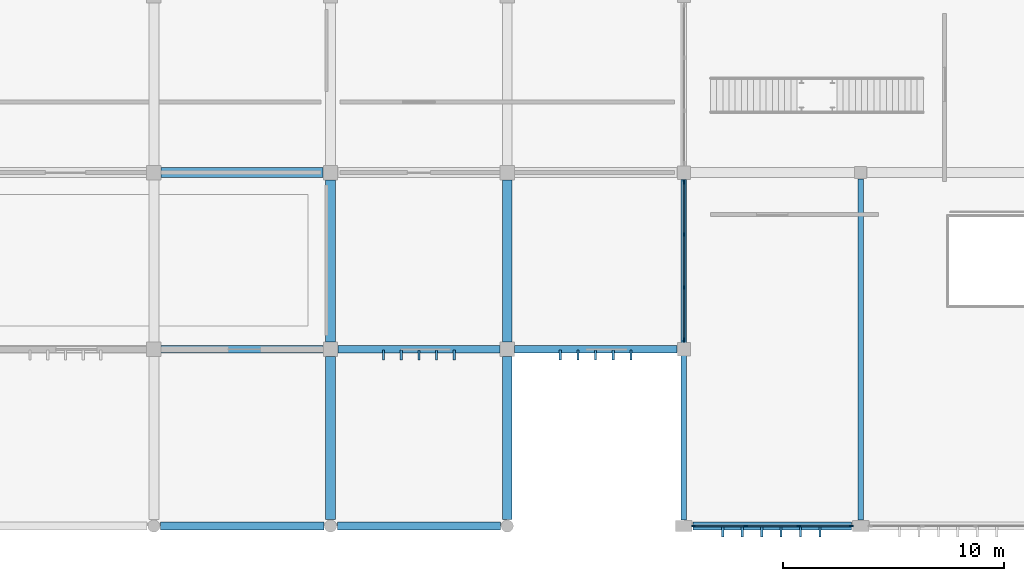
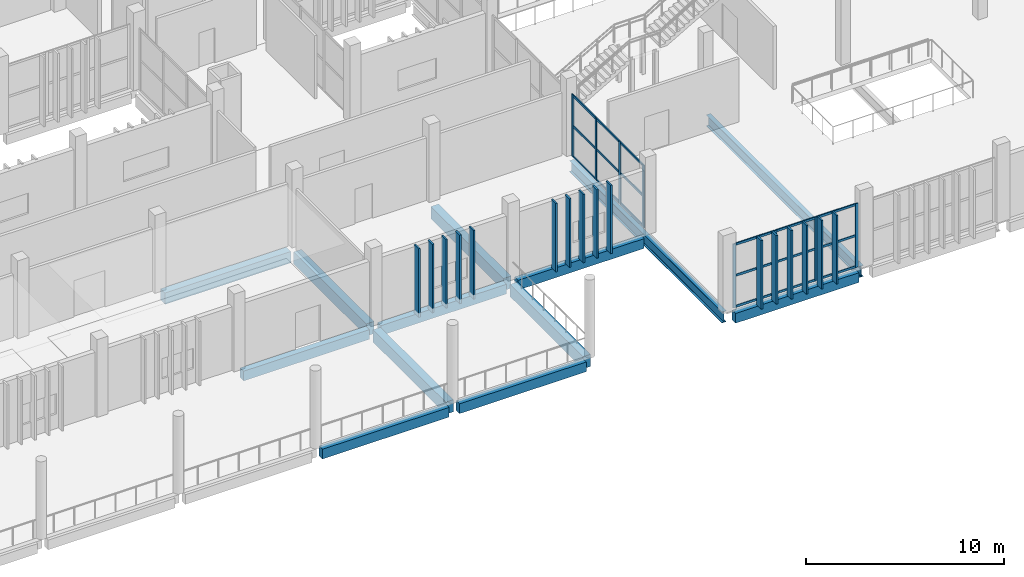
# One storey, part 48 of 106: 42 members, 13 beams, 2 elements without a shape of their own.
"""IFC4 building model written with IfcOpenShell, lengths in metres."""

from ifc_helpers import new_model, si_unit, direction, frame, origin, origin_2d, place, context, subcontext, project, spatial, rectangle, i_section, extrude, material, layer, layer_set, material_profile, profile_set, type_object, element, aggregate, save


model = new_model("IFC4")

# Units and contexts
model_context = context("Model", 3, precision=1e-05, world=origin(), true_north=direction((0.0, 1.0)))
body_context = subcontext(model_context, "Body", "Model", "MODEL_VIEW")
ifc_project = project(units=[si_unit("LENGTHUNIT", "METRE"), si_unit("AREAUNIT", "SQUARE_METRE"), si_unit("VOLUMEUNIT", "CUBIC_METRE"), si_unit("PLANEANGLEUNIT", "RADIAN"), si_unit("MASSUNIT", "GRAM", prefix="KILO")], contexts=[model_context])

# Site, building, storey
site_placement = place(None, origin())
site = spatial("IfcSite", under=ifc_project, at=site_placement, CompositionType="ELEMENT")
building_placement = place(site_placement, origin())
building = spatial("IfcBuilding", under=site, at=building_placement, Name="Jelvoka-Kovrelna Polytechnic", CompositionType="ELEMENT")
storey_placement = place(building_placement, frame((0.0, 0.0, 4.800048828125)))
storey = spatial("IfcBuildingStorey", under=building, at=storey_placement, Name="L02", CompositionType="ELEMENT", Elevation=4.800048828125)

# Beams
ifc_material_1 = material(Name="Concrete C40/50", Category="concrete")
ifc_material_profile_1 = material_profile(ifc_material_1, rectangle(XDim=0.449951171875, YDim=0.699951171875, at=origin_2d()), Name="RC 450x700")
ifc_profile_set_1 = profile_set([ifc_material_profile_1], Name="Concrete C40/50")
beam_type_1 = type_object("IfcBeamType", Name="Beam_RC_450x700", PredefinedType="BEAM", material=ifc_profile_set_1)
beam_1_placement = place(storey_placement, frame((136.330078125, 16.0, -0.614990234375), z_axis=(1.0, 0.0, 0.0), x_axis=(0.0, 1.0, 0.0)))
element("IfcBeam", 1, at=beam_1_placement, inside=storey, type_object=beam_type_1, Name="L02 beam 0659", PredefinedType="BEAM", context=body_context, shape_type="SweptSolid", body=[
    extrude(rectangle(XDim=0.449951171875, YDim=0.699951171875, at=origin_2d()), origin(), (0.0, 0.0, 1.0), 7.33984375),
])
ifc_material_2 = material(Name="Concrete C40/50", Category="concrete")
ifc_material_profile_2 = material_profile(ifc_material_2, rectangle(XDim=0.449951171875, YDim=0.75, at=origin_2d()), Name="RC 450x750")
ifc_profile_set_2 = profile_set([ifc_material_profile_2], Name="Concrete C40/50")
beam_type_2 = type_object("IfcBeamType", Name="Beam_RC_450x750", PredefinedType="BEAM", material=ifc_profile_set_2)
for number, where, z_axis, x_axis, name in (
    (2, (144.0, 8.330078125, -0.64013671875), (0.0, 1.0, 0.0), (-1.0, 0.0, 0.0), "L02 beam 0674"),
    (3, (152.0, 8.330078125, -0.64013671875), (0.0, 1.0, 0.0), (-1.0, 0.0, 0.0), "L02 beam 0676"),
):
    element("IfcBeam", number, at=place(storey_placement, frame(where, z_axis=z_axis, x_axis=x_axis)), inside=storey, type_object=beam_type_2, Name=name, PredefinedType="BEAM", context=body_context, shape_type="SweptSolid", body=[
        extrude(rectangle(XDim=0.449951171875, YDim=0.75, at=origin_2d()), origin(), (0.0, 0.0, 1.0), 7.33984375),
    ])
for number, where, z_axis, x_axis, name in (
    (4, (144.0, 0.304931640625, -0.594970703125), (0.0, 1.0, 0.0), (-1.0, 0.0, 0.0), "L02 beam 2010"),
    (5, (152.0, 0.304931640625, -0.594970703125), (0.0, 1.0, 0.0), (-1.0, 0.0, 0.0), "L02 beam 2011"),
):
    element("IfcBeam", number, at=place(storey_placement, frame(where, z_axis=z_axis, x_axis=x_axis)), inside=storey, type_object=beam_type_2, Name=name, PredefinedType="BEAM", context=body_context, shape_type="SweptSolid", body=[
        extrude(rectangle(XDim=0.449951171875, YDim=0.75, at=origin_2d()), origin(), (0.0, 0.0, 1.0), 7.364990234375),
    ])
ifc_material_3 = material(Name="Structural steel S355JR", Category="steel")
ifc_material_profile_3 = material_profile(ifc_material_3, i_section(OverallWidth=0.2529296875, OverallDepth=0.677978515625, WebThickness=0.01171875, FlangeThickness=0.01611328125, FilletRadius=0.01513671875, at=origin_2d()), Name="686x254x125 UB")
ifc_profile_set_3 = profile_set([ifc_material_profile_3], Name="Structural steel S355JR")
beam_type_3 = type_object("IfcBeamType", Name="Girder_Steel_UB686", PredefinedType="BEAM", material=ifc_profile_set_3)
beam_2_placement = place(storey_placement, frame((160.0, 0.280029296875, -0.6240234375), z_axis=(0.0, 1.0, 0.0), x_axis=(-1.0, 0.0, 0.0)))
element("IfcBeam", 6, at=beam_2_placement, inside=storey, type_object=beam_type_3, Name="L02 beam 0169", PredefinedType="BEAM", context=body_context, shape_type="SweptSolid", body=[
    extrude(i_section(OverallWidth=0.2529296875, OverallDepth=0.677978515625, WebThickness=0.01171875, FlangeThickness=0.01611328125, FilletRadius=0.01513671875, at=origin_2d()), origin(), (0.0, 0.0, 1.0), 15.4150390625),
])
beam_3_placement = place(storey_placement, frame((168.0, 0.280029296875, -0.6240234375), z_axis=(0.0, 1.0, 0.0), x_axis=(-1.0, 0.0, 0.0)))
element("IfcBeam", 7, at=beam_3_placement, inside=storey, type_object=beam_type_3, Name="L02 beam 0171", PredefinedType="BEAM", context=body_context, shape_type="SweptSolid", body=[
    extrude(i_section(OverallWidth=0.2529296875, OverallDepth=0.677978515625, WebThickness=0.01171875, FlangeThickness=0.01611328125, FilletRadius=0.01513671875, at=origin_2d()), origin(), (0.0, 0.0, 1.0), 15.43994140625),
])

# Members
ifc_material_4 = material(Name="Precast concrete C40/50", Category="concrete")
ifc_material_profile_4 = material_profile(ifc_material_4, rectangle(XDim=0.10009765625, YDim=0.449951171875, at=origin_2d()), Name="PC 100x450")
ifc_profile_set_4 = profile_set([ifc_material_profile_4], Name="Precast concrete C40/50")
member_type_1 = type_object("IfcMemberType", Name="Louvre_Fin_100x450", PredefinedType="USERDEFINED", material=ifc_profile_set_4)
for number, where, z_axis, x_axis, name in (
    (8, (146.39990234375, 7.735107421875, -0.27001953125), (0.0, 0.0, 1.0), (1.0, 0.0, 0.0), "L02 B1 south vertical solar louvre fin 0201"),
    (9, (147.199951171875, 7.735107421875, -0.27001953125), (0.0, 0.0, 1.0), (1.0, 0.0, 0.0), "L02 B1 south vertical solar louvre fin 0202"),
    (10, (148.0, 7.735107421875, -0.27001953125), (0.0, 0.0, 1.0), (1.0, 0.0, 0.0), "L02 B1 south vertical solar louvre fin 0203"),
    (11, (148.800048828125, 7.735107421875, -0.27001953125), (0.0, 0.0, 1.0), (1.0, 0.0, 0.0), "L02 B1 south vertical solar louvre fin 0204"),
    (12, (149.60009765625, 7.735107421875, -0.27001953125), (0.0, 0.0, 1.0), (1.0, 0.0, 0.0), "L02 B1 south vertical solar louvre fin 0205"),
    (13, (154.39990234375, 7.735107421875, -0.27001953125), (0.0, 0.0, 1.0), (1.0, 0.0, 0.0), "L02 B1 south vertical solar louvre fin 0206"),
    (14, (155.199951171875, 7.735107421875, -0.27001953125), (0.0, 0.0, 1.0), (1.0, 0.0, 0.0), "L02 B1 south vertical solar louvre fin 0207"),
    (15, (156.0, 7.735107421875, -0.27001953125), (0.0, 0.0, 1.0), (1.0, 0.0, 0.0), "L02 B1 south vertical solar louvre fin 0208"),
    (16, (156.800048828125, 7.735107421875, -0.27001953125), (0.0, 0.0, 1.0), (1.0, 0.0, 0.0), "L02 B1 south vertical solar louvre fin 0209"),
    (17, (157.60009765625, 7.735107421875, -0.27001953125), (0.0, 0.0, 1.0), (1.0, 0.0, 0.0), "L02 B1 south vertical solar louvre fin 0210"),
    (18, (161.760009765625, -0.264892578125, -0.2900390625), (0.0, 0.0, 1.0), (1.0, 0.0, 0.0), "L02 V5 south solar louvre fin 2470"),
    (19, (162.639892578125, -0.264892578125, -0.2900390625), (0.0, 0.0, 1.0), (1.0, 0.0, 0.0), "L02 V5 south solar louvre fin 2471"),
    (20, (163.52001953125, -0.264892578125, -0.2900390625), (0.0, 0.0, 1.0), (1.0, 0.0, 0.0), "L02 V5 south solar louvre fin 2472"),
    (21, (164.39990234375, -0.264892578125, -0.2900390625), (0.0, 0.0, 1.0), (1.0, 0.0, 0.0), "L02 V5 south solar louvre fin 2473"),
    (22, (165.280029296875, -0.264892578125, -0.2900390625), (0.0, 0.0, 1.0), (1.0, 0.0, 0.0), "L02 V5 south solar louvre fin 2474"),
    (23, (166.159912109375, -0.264892578125, -0.2900390625), (0.0, 0.0, 1.0), (1.0, 0.0, 0.0), "L02 V5 south solar louvre fin 2475"),
):
    element("IfcMember", number, at=place(storey_placement, frame(where, z_axis=z_axis, x_axis=x_axis)), inside=storey, type_object=member_type_1, Name=name, ObjectType="SUNSHADE", PredefinedType="USERDEFINED", context=body_context, shape_type="SweptSolid", body=[
        extrude(rectangle(XDim=0.10009765625, YDim=0.449951171875, at=origin_2d()), origin(), (0.0, 0.0, 1.0), 4.22998046875),
    ])

# Curtain wall, members
ifc_material_5 = material(Name="Anodised aluminium 6063-T6", Category="aluminium")
ifc_layer = layer(ifc_material_5, 0.179931640625)
ifc_layer_set = layer_set([ifc_layer], Name="Anodised aluminium 6063-T6")
curtain_wall_type = type_object("IfcCurtainWallType", Name="CW_Pavilion", PredefinedType="NOTDEFINED", material=ifc_layer_set)
curtain_wall_1_placement = place(storey_placement, origin())
curtain_wall_1 = element("IfcCurtainWall", 24, at=curtain_wall_1_placement, inside=storey, type_object=curtain_wall_type, Name="L02 glazed curtain wall 279", PredefinedType="NOTDEFINED")
ifc_material_6 = material(Name="Anodised aluminium 6063-T6", Category="aluminium")
ifc_material_profile_5 = material_profile(ifc_material_6, rectangle(XDim=0.06494140625, YDim=0.179931640625, at=origin_2d()), Name="ALU 65x180")
ifc_profile_set_5 = profile_set([ifc_material_profile_5], Name="Anodised aluminium 6063-T6")
member_type_2 = type_object("IfcMemberType", Name="Mullion_M-05", PredefinedType="MULLION", material=ifc_profile_set_5)
member_1_placement = place(storey_placement, frame((167.5673828125, 0.0, -0.02490234375), z_axis=(0.0, 0.0, 1.0), x_axis=(0.0, -1.0, 0.0)))
member_1 = element("IfcMember", 25, at=member_1_placement, type_object=member_type_2, Name="CW-05 mullion 1", PredefinedType="MULLION", context=body_context, shape_type="SweptSolid", body=[
    extrude(rectangle(XDim=0.06494140625, YDim=0.179931640625, at=origin_2d()), origin(), (0.0, 0.0, 1.0), 3.93994140625),
])
member_2_placement = place(storey_placement, frame((165.199951171875, 0.0, -0.02490234375), z_axis=(0.0, 0.0, 1.0), x_axis=(0.0, -1.0, 0.0)))
member_2 = element("IfcMember", 26, at=member_2_placement, type_object=member_type_2, Name="CW-05 mullion 2", PredefinedType="MULLION", context=body_context, shape_type="SweptSolid", body=[
    extrude(rectangle(XDim=0.06494140625, YDim=0.179931640625, at=origin_2d()), origin(), (0.0, 0.0, 1.0), 3.93994140625),
])
member_3_placement = place(storey_placement, frame((162.800048828125, 0.0, -0.02490234375), z_axis=(0.0, 0.0, 1.0), x_axis=(0.0, -1.0, 0.0)))
member_3 = element("IfcMember", 27, at=member_3_placement, type_object=member_type_2, Name="CW-05 mullion 3", PredefinedType="MULLION", context=body_context, shape_type="SweptSolid", body=[
    extrude(rectangle(XDim=0.06494140625, YDim=0.179931640625, at=origin_2d()), origin(), (0.0, 0.0, 1.0), 3.93994140625),
])
member_4_placement = place(storey_placement, frame((160.4326171875, 0.0, -0.02490234375), z_axis=(0.0, 0.0, 1.0), x_axis=(0.0, -1.0, 0.0)))
member_4 = element("IfcMember", 28, at=member_4_placement, type_object=member_type_2, Name="CW-05 mullion 4", PredefinedType="MULLION", context=body_context, shape_type="SweptSolid", body=[
    extrude(rectangle(XDim=0.06494140625, YDim=0.179931640625, at=origin_2d()), origin(), (0.0, 0.0, 1.0), 3.93994140625),
])

curtain_wall_2_placement = place(storey_placement, origin())
curtain_wall_2 = element("IfcCurtainWall", 29, at=curtain_wall_2_placement, inside=storey, type_object=curtain_wall_type, Name="L02 glazed curtain wall 283", PredefinedType="NOTDEFINED")
member_5_placement = place(storey_placement, frame((160.0, 8.4326171875, -0.02490234375), z_axis=(0.0, 0.0, 1.0), x_axis=(-1.0, 0.0, 0.0)))
member_5 = element("IfcMember", 30, at=member_5_placement, type_object=member_type_2, Name="CW-05 mullion 1", PredefinedType="MULLION", context=body_context, shape_type="SweptSolid", body=[
    extrude(rectangle(XDim=0.06494140625, YDim=0.179931640625, at=origin_2d()), origin(), (0.0, 0.0, 1.0), 3.862060546875),
])
member_6_placement = place(storey_placement, frame((160.0, 10.800048828125, -0.02490234375), z_axis=(0.0, 0.0, 1.0), x_axis=(-1.0, 0.0, 0.0)))
member_6 = element("IfcMember", 31, at=member_6_placement, type_object=member_type_2, Name="CW-05 mullion 2", PredefinedType="MULLION", context=body_context, shape_type="SweptSolid", body=[
    extrude(rectangle(XDim=0.06494140625, YDim=0.179931640625, at=origin_2d()), origin(), (0.0, 0.0, 1.0), 3.862060546875),
])
member_7_placement = place(storey_placement, frame((160.0, 13.199951171875, -0.02490234375), z_axis=(0.0, 0.0, 1.0), x_axis=(-1.0, 0.0, 0.0)))
member_7 = element("IfcMember", 32, at=member_7_placement, type_object=member_type_2, Name="CW-05 mullion 3", PredefinedType="MULLION", context=body_context, shape_type="SweptSolid", body=[
    extrude(rectangle(XDim=0.06494140625, YDim=0.179931640625, at=origin_2d()), origin(), (0.0, 0.0, 1.0), 3.862060546875),
])
member_8_placement = place(storey_placement, frame((160.0, 15.5673828125, -0.02490234375), z_axis=(0.0, 0.0, 1.0), x_axis=(-1.0, 0.0, 0.0)))
member_8 = element("IfcMember", 33, at=member_8_placement, type_object=member_type_2, Name="CW-05 mullion 4", PredefinedType="MULLION", context=body_context, shape_type="SweptSolid", body=[
    extrude(rectangle(XDim=0.06494140625, YDim=0.179931640625, at=origin_2d()), origin(), (0.0, 0.0, 1.0), 3.862060546875),
])

# Beams
ifc_material_7 = material(Name="Concrete C40/50", Category="concrete")
ifc_material_profile_6 = material_profile(ifc_material_7, rectangle(XDim=0.35009765625, YDim=0.60009765625, at=origin_2d()), Name="RC 350x600")
ifc_profile_set_6 = profile_set([ifc_material_profile_6], Name="Concrete C40/50")
beam_type_4 = type_object("IfcBeamType", Name="Spandrel_RC_350x600", PredefinedType="SPANDREL", material=ifc_profile_set_6)
beam_4_placement = place(storey_placement, frame((160.405029296875, 0.0, -0.5849609375), z_axis=(1.0, 0.0, 0.0), x_axis=(0.0, 1.0, 0.0)))
element("IfcBeam", 34, at=beam_4_placement, inside=storey, type_object=beam_type_4, Name="L02 beam 0180", PredefinedType="SPANDREL", context=body_context, shape_type="SweptSolid", body=[
    extrude(rectangle(XDim=0.35009765625, YDim=0.60009765625, at=origin_2d()), origin(), (0.0, 0.0, 1.0), 7.18994140625),
])
for number, where, z_axis, x_axis, name in (
    (35, (136.330078125, 8.0, -0.56494140625), (1.0, 0.0, 0.0), (0.0, 1.0, 0.0), "L02 beam 0653"),
    (36, (144.330078125, 8.0, -0.56494140625), (1.0, 0.0, 0.0), (0.0, 1.0, 0.0), "L02 beam 0654"),
):
    element("IfcBeam", number, at=place(storey_placement, frame(where, z_axis=z_axis, x_axis=x_axis)), inside=storey, type_object=beam_type_4, Name=name, PredefinedType="SPANDREL", context=body_context, shape_type="SweptSolid", body=[
        extrude(rectangle(XDim=0.35009765625, YDim=0.60009765625, at=origin_2d()), origin(), (0.0, 0.0, 1.0), 7.33984375),
    ])
beam_5_placement = place(storey_placement, frame((152.330078125, 8.0, -0.56494140625), z_axis=(1.0, 0.0, 0.0), x_axis=(0.0, 1.0, 0.0)))
element("IfcBeam", 37, at=beam_5_placement, inside=storey, type_object=beam_type_4, Name="L02 beam 0655", PredefinedType="SPANDREL", context=body_context, shape_type="SweptSolid", body=[
    extrude(rectangle(XDim=0.35009765625, YDim=0.60009765625, at=origin_2d()), origin(), (0.0, 0.0, 1.0), 7.364990234375),
])
for number, where, z_axis, x_axis, name in (
    (38, (136.304931640625, 0.0, -0.52001953125), (1.0, 0.0, 0.0), (0.0, 1.0, 0.0), "L02 beam 1997"),
    (39, (144.304931640625, 0.0, -0.52001953125), (1.0, 0.0, 0.0), (0.0, 1.0, 0.0), "L02 beam 1998"),
):
    element("IfcBeam", number, at=place(storey_placement, frame(where, z_axis=z_axis, x_axis=x_axis)), inside=storey, type_object=beam_type_4, Name=name, PredefinedType="SPANDREL", context=body_context, shape_type="SweptSolid", body=[
        extrude(rectangle(XDim=0.35009765625, YDim=0.60009765625, at=origin_2d()), origin(), (0.0, 0.0, 1.0), 7.39013671875),
    ])

# Member
ifc_material_8 = material(Name="Anodised aluminium 6063-T6", Category="aluminium")
ifc_material_profile_7 = material_profile(ifc_material_8, rectangle(XDim=0.06494140625, YDim=0.135009765625, at=origin_2d()), Name="ALU 65x135")
ifc_profile_set_7 = profile_set([ifc_material_profile_7], Name="Anodised aluminium 6063-T6")
member_type_3 = type_object("IfcMemberType", Name="Transom_T-05", PredefinedType="USERDEFINED", material=ifc_profile_set_7)
member_9_placement = place(storey_placement, frame((167.534912109375, 0.0, 0.032470703125), z_axis=(-1.0, 0.0, 0.0), x_axis=(0.0, -1.0, 0.0)))
member_9 = element("IfcMember", 40, at=member_9_placement, type_object=member_type_3, Name="CW-05 transom 1.1", ObjectType="TRANSOM", PredefinedType="USERDEFINED", context=body_context, shape_type="SweptSolid", body=[
    extrude(rectangle(XDim=0.06494140625, YDim=0.135009765625, at=origin_2d()), origin(), (0.0, 0.0, 1.0), 2.302490234375),
])

member_10_placement = place(storey_placement, frame((167.534912109375, 0.0, 1.945068359375), z_axis=(-1.0, 0.0, 0.0), x_axis=(0.0, -1.0, 0.0)))
member_10 = element("IfcMember", 41, at=member_10_placement, type_object=member_type_3, Name="CW-05 transom 1.2", ObjectType="TRANSOM", PredefinedType="USERDEFINED", context=body_context, shape_type="SweptSolid", body=[
    extrude(rectangle(XDim=0.06494140625, YDim=0.135009765625, at=origin_2d()), origin(), (0.0, 0.0, 1.0), 2.302490234375),
])

member_11_placement = place(storey_placement, frame((167.534912109375, 0.0, 3.857421875), z_axis=(-1.0, 0.0, 0.0), x_axis=(0.0, -1.0, 0.0)))
member_11 = element("IfcMember", 42, at=member_11_placement, type_object=member_type_3, Name="CW-05 transom 1.3", ObjectType="TRANSOM", PredefinedType="USERDEFINED", context=body_context, shape_type="SweptSolid", body=[
    extrude(rectangle(XDim=0.06494140625, YDim=0.135009765625, at=origin_2d()), origin(), (0.0, 0.0, 1.0), 2.302490234375),
])

member_12_placement = place(storey_placement, frame((165.16748046875, 0.0, 0.032470703125), z_axis=(-1.0, 0.0, 0.0), x_axis=(0.0, -1.0, 0.0)))
member_12 = element("IfcMember", 43, at=member_12_placement, type_object=member_type_3, Name="CW-05 transom 2.1", ObjectType="TRANSOM", PredefinedType="USERDEFINED", context=body_context, shape_type="SweptSolid", body=[
    extrude(rectangle(XDim=0.06494140625, YDim=0.135009765625, at=origin_2d()), origin(), (0.0, 0.0, 1.0), 2.3349609375),
])

member_13_placement = place(storey_placement, frame((165.16748046875, 0.0, 1.945068359375), z_axis=(-1.0, 0.0, 0.0), x_axis=(0.0, -1.0, 0.0)))
member_13 = element("IfcMember", 44, at=member_13_placement, type_object=member_type_3, Name="CW-05 transom 2.2", ObjectType="TRANSOM", PredefinedType="USERDEFINED", context=body_context, shape_type="SweptSolid", body=[
    extrude(rectangle(XDim=0.06494140625, YDim=0.135009765625, at=origin_2d()), origin(), (0.0, 0.0, 1.0), 2.3349609375),
])

member_14_placement = place(storey_placement, frame((165.16748046875, 0.0, 3.857421875), z_axis=(-1.0, 0.0, 0.0), x_axis=(0.0, -1.0, 0.0)))
member_14 = element("IfcMember", 45, at=member_14_placement, type_object=member_type_3, Name="CW-05 transom 2.3", ObjectType="TRANSOM", PredefinedType="USERDEFINED", context=body_context, shape_type="SweptSolid", body=[
    extrude(rectangle(XDim=0.06494140625, YDim=0.135009765625, at=origin_2d()), origin(), (0.0, 0.0, 1.0), 2.3349609375),
])

member_15_placement = place(storey_placement, frame((162.767578125, 0.0, 0.032470703125), z_axis=(-1.0, 0.0, 0.0), x_axis=(0.0, -1.0, 0.0)))
member_15 = element("IfcMember", 46, at=member_15_placement, type_object=member_type_3, Name="CW-05 transom 3.1", ObjectType="TRANSOM", PredefinedType="USERDEFINED", context=body_context, shape_type="SweptSolid", body=[
    extrude(rectangle(XDim=0.06494140625, YDim=0.135009765625, at=origin_2d()), origin(), (0.0, 0.0, 1.0), 2.302490234375),
])

member_16_placement = place(storey_placement, frame((162.767578125, 0.0, 1.945068359375), z_axis=(-1.0, 0.0, 0.0), x_axis=(0.0, -1.0, 0.0)))
member_16 = element("IfcMember", 47, at=member_16_placement, type_object=member_type_3, Name="CW-05 transom 3.2", ObjectType="TRANSOM", PredefinedType="USERDEFINED", context=body_context, shape_type="SweptSolid", body=[
    extrude(rectangle(XDim=0.06494140625, YDim=0.135009765625, at=origin_2d()), origin(), (0.0, 0.0, 1.0), 2.302490234375),
])

member_17_placement = place(storey_placement, frame((162.767578125, 0.0, 3.857421875), z_axis=(-1.0, 0.0, 0.0), x_axis=(0.0, -1.0, 0.0)))
member_17 = element("IfcMember", 48, at=member_17_placement, type_object=member_type_3, Name="CW-05 transom 3.3", ObjectType="TRANSOM", PredefinedType="USERDEFINED", context=body_context, shape_type="SweptSolid", body=[
    extrude(rectangle(XDim=0.06494140625, YDim=0.135009765625, at=origin_2d()), origin(), (0.0, 0.0, 1.0), 2.302490234375),
])

aggregate(curtain_wall_1, [member_1, member_2, member_3, member_4, member_9, member_10, member_11, member_12, member_13, member_14, member_15, member_16, member_17])

member_18_placement = place(storey_placement, frame((160.0, 8.465087890625, 0.032470703125), z_axis=(0.0, 1.0, 0.0), x_axis=(-1.0, 0.0, 0.0)))
member_18 = element("IfcMember", 49, at=member_18_placement, type_object=member_type_3, Name="CW-05 transom 1.1", ObjectType="TRANSOM", PredefinedType="USERDEFINED", context=body_context, shape_type="SweptSolid", body=[
    extrude(rectangle(XDim=0.06494140625, YDim=0.135009765625, at=origin_2d()), origin(), (0.0, 0.0, 1.0), 2.302490234375),
])

member_19_placement = place(storey_placement, frame((160.0, 8.465087890625, 1.906005859375), z_axis=(0.0, 1.0, 0.0), x_axis=(-1.0, 0.0, 0.0)))
member_19 = element("IfcMember", 50, at=member_19_placement, type_object=member_type_3, Name="CW-05 transom 1.2", ObjectType="TRANSOM", PredefinedType="USERDEFINED", context=body_context, shape_type="SweptSolid", body=[
    extrude(rectangle(XDim=0.06494140625, YDim=0.135009765625, at=origin_2d()), origin(), (0.0, 0.0, 1.0), 2.302490234375),
])

member_20_placement = place(storey_placement, frame((160.0, 8.465087890625, 3.779541015625), z_axis=(0.0, 1.0, 0.0), x_axis=(-1.0, 0.0, 0.0)))
member_20 = element("IfcMember", 51, at=member_20_placement, type_object=member_type_3, Name="CW-05 transom 1.3", ObjectType="TRANSOM", PredefinedType="USERDEFINED", context=body_context, shape_type="SweptSolid", body=[
    extrude(rectangle(XDim=0.06494140625, YDim=0.135009765625, at=origin_2d()), origin(), (0.0, 0.0, 1.0), 2.302490234375),
])

member_21_placement = place(storey_placement, frame((160.0, 10.83251953125, 0.032470703125), z_axis=(0.0, 1.0, 0.0), x_axis=(-1.0, 0.0, 0.0)))
member_21 = element("IfcMember", 52, at=member_21_placement, type_object=member_type_3, Name="CW-05 transom 2.1", ObjectType="TRANSOM", PredefinedType="USERDEFINED", context=body_context, shape_type="SweptSolid", body=[
    extrude(rectangle(XDim=0.06494140625, YDim=0.135009765625, at=origin_2d()), origin(), (0.0, 0.0, 1.0), 2.3349609375),
])

member_22_placement = place(storey_placement, frame((160.0, 10.83251953125, 1.906005859375), z_axis=(0.0, 1.0, 0.0), x_axis=(-1.0, 0.0, 0.0)))
member_22 = element("IfcMember", 53, at=member_22_placement, type_object=member_type_3, Name="CW-05 transom 2.2", ObjectType="TRANSOM", PredefinedType="USERDEFINED", context=body_context, shape_type="SweptSolid", body=[
    extrude(rectangle(XDim=0.06494140625, YDim=0.135009765625, at=origin_2d()), origin(), (0.0, 0.0, 1.0), 2.3349609375),
])

member_23_placement = place(storey_placement, frame((160.0, 10.83251953125, 3.779541015625), z_axis=(0.0, 1.0, 0.0), x_axis=(-1.0, 0.0, 0.0)))
member_23 = element("IfcMember", 54, at=member_23_placement, type_object=member_type_3, Name="CW-05 transom 2.3", ObjectType="TRANSOM", PredefinedType="USERDEFINED", context=body_context, shape_type="SweptSolid", body=[
    extrude(rectangle(XDim=0.06494140625, YDim=0.135009765625, at=origin_2d()), origin(), (0.0, 0.0, 1.0), 2.3349609375),
])

member_24_placement = place(storey_placement, frame((160.0, 13.232421875, 0.032470703125), z_axis=(0.0, 1.0, 0.0), x_axis=(-1.0, 0.0, 0.0)))
member_24 = element("IfcMember", 55, at=member_24_placement, type_object=member_type_3, Name="CW-05 transom 3.1", ObjectType="TRANSOM", PredefinedType="USERDEFINED", context=body_context, shape_type="SweptSolid", body=[
    extrude(rectangle(XDim=0.06494140625, YDim=0.135009765625, at=origin_2d()), origin(), (0.0, 0.0, 1.0), 2.302490234375),
])

member_25_placement = place(storey_placement, frame((160.0, 13.232421875, 1.906005859375), z_axis=(0.0, 1.0, 0.0), x_axis=(-1.0, 0.0, 0.0)))
member_25 = element("IfcMember", 56, at=member_25_placement, type_object=member_type_3, Name="CW-05 transom 3.2", ObjectType="TRANSOM", PredefinedType="USERDEFINED", context=body_context, shape_type="SweptSolid", body=[
    extrude(rectangle(XDim=0.06494140625, YDim=0.135009765625, at=origin_2d()), origin(), (0.0, 0.0, 1.0), 2.302490234375),
])

member_26_placement = place(storey_placement, frame((160.0, 13.232421875, 3.779541015625), z_axis=(0.0, 1.0, 0.0), x_axis=(-1.0, 0.0, 0.0)))
member_26 = element("IfcMember", 57, at=member_26_placement, type_object=member_type_3, Name="CW-05 transom 3.3", ObjectType="TRANSOM", PredefinedType="USERDEFINED", context=body_context, shape_type="SweptSolid", body=[
    extrude(rectangle(XDim=0.06494140625, YDim=0.135009765625, at=origin_2d()), origin(), (0.0, 0.0, 1.0), 2.302490234375),
])

aggregate(curtain_wall_2, [member_5, member_6, member_7, member_8, member_18, member_19, member_20, member_21, member_22, member_23, member_24, member_25, member_26])

save(model, "model.ifc")
